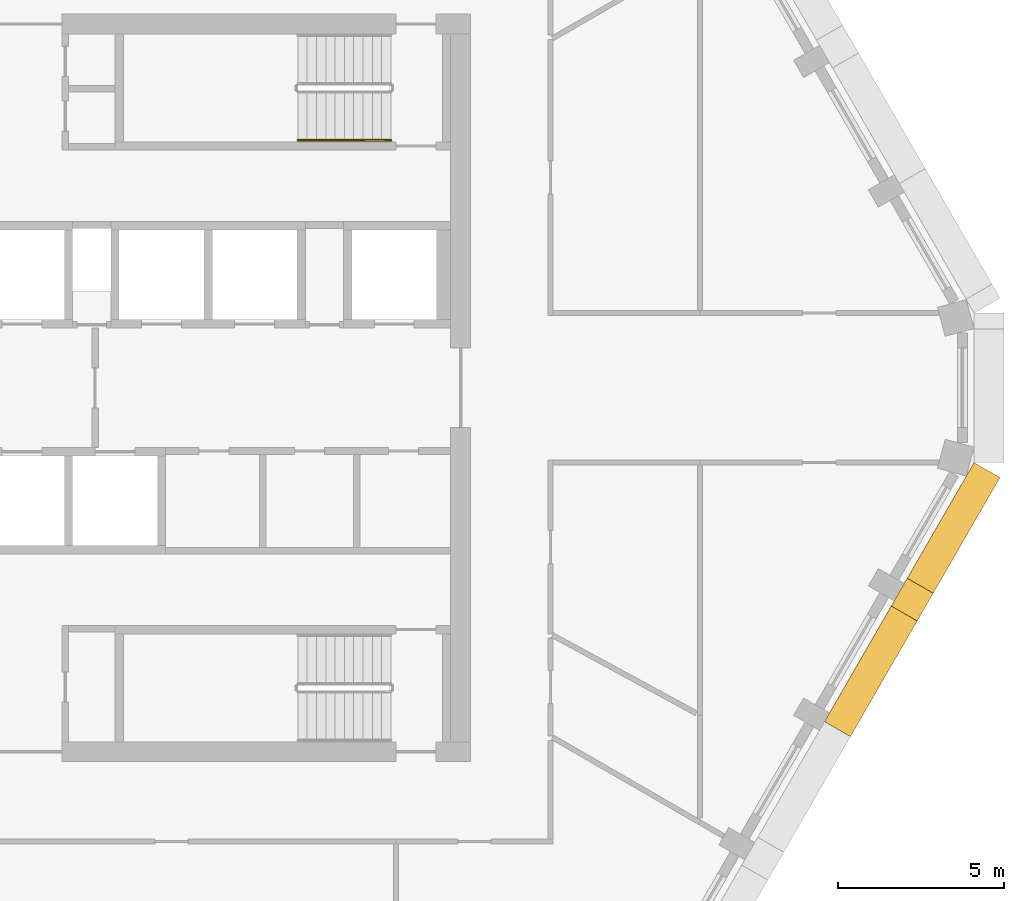
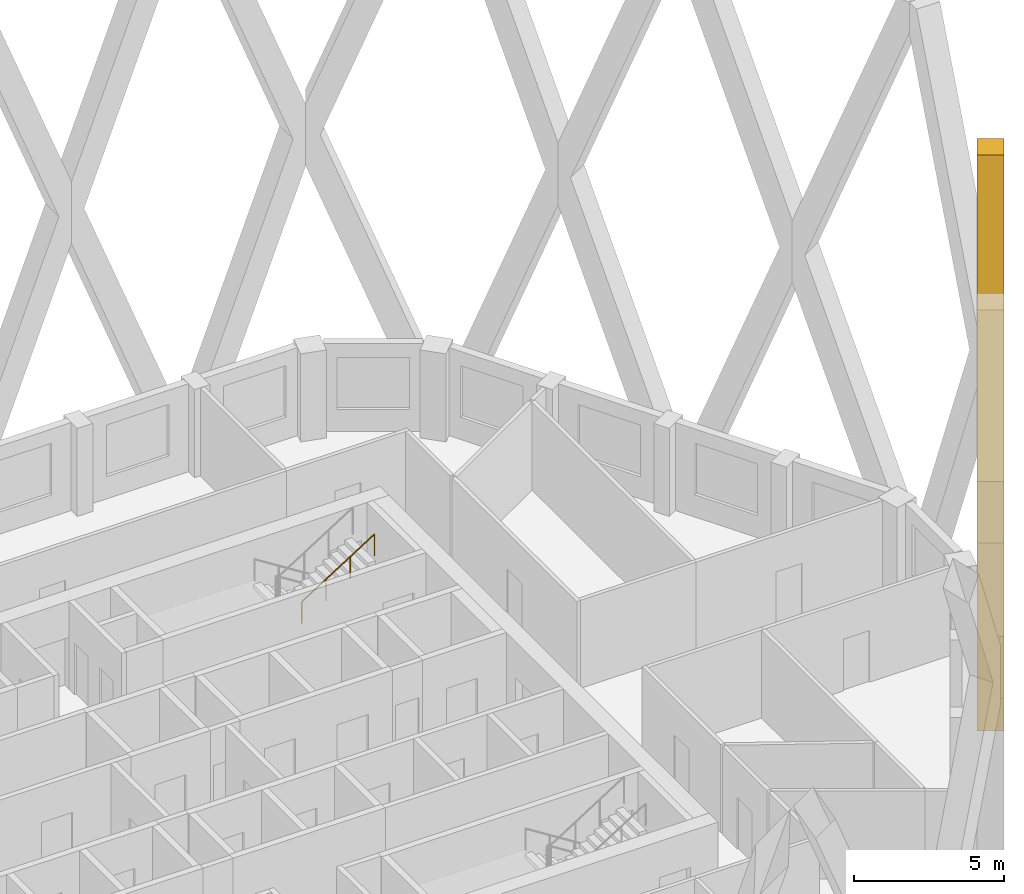
# One storey, part 12 of 14: 1 covering, 1 railing.
"""IFC4 building model written with IfcOpenShell, lengths in metres."""

from ifc_helpers import new_model, si_unit, direction, frame, origin, origin_2d, place, context, subcontext, project, spatial, polyline, circle, outline, extrude, material, type_object, element, save


model = new_model("IFC4")

# Units and contexts
model_context = context("Model", 3, precision=1e-05, world=origin(), true_north=direction((0.0, 1.0)))
body_context = subcontext(model_context, "Body", "Model", "MODEL_VIEW")
ifc_project = project(units=[si_unit("LENGTHUNIT", "METRE"), si_unit("AREAUNIT", "SQUARE_METRE"), si_unit("VOLUMEUNIT", "CUBIC_METRE"), si_unit("PLANEANGLEUNIT", "RADIAN"), si_unit("MASSUNIT", "GRAM", prefix="KILO")], contexts=[model_context])

# Site, building, storey
site_placement = place(None, origin())
site = spatial("IfcSite", under=ifc_project, at=site_placement, CompositionType="ELEMENT")
building_placement = place(site_placement, origin())
building = spatial("IfcBuilding", under=site, at=building_placement, Name="Dhurran Vertical Campus", CompositionType="ELEMENT")
storey_placement = place(building_placement, frame((0.0, 0.0, 286.5)))
storey = spatial("IfcBuildingStorey", under=building, at=storey_placement, Name="L71", CompositionType="ELEMENT", Elevation=286.5)

# Covering
ifc_material_1 = material(Name="Precast concrete C50/60", Category="concrete")
covering_type = type_object("IfcCoveringType", Name="Folded precast fin lattice diamond", PredefinedType="USERDEFINED", material=ifc_material_1)
covering_placement = place(storey_placement, frame((24.147216796875, -10.044189453125, 0.0), z_axis=(0.866013897511, -0.50001992892, 0.0), x_axis=(0.50001992892, 0.866013897511, 0.0)))
element("IfcCovering", 1, at=covering_placement, inside=storey, type_object=covering_type, Name="FN1 L71.007", ObjectType="FIN", PredefinedType="USERDEFINED", context=body_context, shape_type="SweptSolid", body=[
    extrude(outline(polyline([(9.0, 12.95361328125), (9.0, 10.4462890625), (4.982177734375, 0.0), (4.017822265625, 0.0), (0.0, 10.4462890625), (0.0, 12.95361328125), (4.017822265625, 23.39990234375), (4.982177734375, 23.39990234375), (9.0, 12.95361328125)]), holes=[polyline([(8.517822265625, 11.699951171875), (4.5, 22.146484375), (0.482177734375, 11.699951171875), (4.5, 1.253662109375), (8.517822265625, 11.699951171875)])]), origin(), (0.0, 0.0, 1.0), 0.89990234375),
])

# Railing
ifc_material_2 = material(Name="Stainless steel handrail", Category="steel")
railing_type = type_object("IfcRailingType", Name="co-RL-HANDRAIL-900", PredefinedType="HANDRAIL", material=ifc_material_2)
railing_placement = place(storey_placement, frame((8.300048828125, 7.449951171875, 2.127197265625)))
element("IfcRailing", 2, at=railing_placement, inside=storey, type_object=railing_type, Name="L71 ST2 stair handrail 2", PredefinedType="HANDRAIL", context=body_context, shape_type="SweptSolid", body=[
    extrude(circle(Radius=0.02392578125, at=origin_2d()), frame((0.0, 0.0, 0.8759765625), z_axis=(0.844908973607, 0.0, 0.534910110503), x_axis=(0.0, 1.0, 0.0)), (0.0, 0.0, 1.0), 3.31396484375),
    extrude(circle(Radius=0.02099609375, at=origin_2d()), origin(), (0.0, 0.0, 1.0), 0.851806640625),
    extrude(circle(Radius=0.02099609375, at=origin_2d()), frame((0.933349609375, 0.0, 0.5908203125)), (0.0, 0.0, 1.0), 0.851806640625),
    extrude(circle(Radius=0.02099609375, at=origin_2d()), frame((1.86669921875, 0.0, 1.181884765625)), (0.0, 0.0, 1.0), 0.851806640625),
    extrude(circle(Radius=0.02099609375, at=origin_2d()), frame((2.800048828125, 0.0, 1.772705078125)), (0.0, 0.0, 1.0), 0.851806640625),
])

save(model, "model.ifc")
